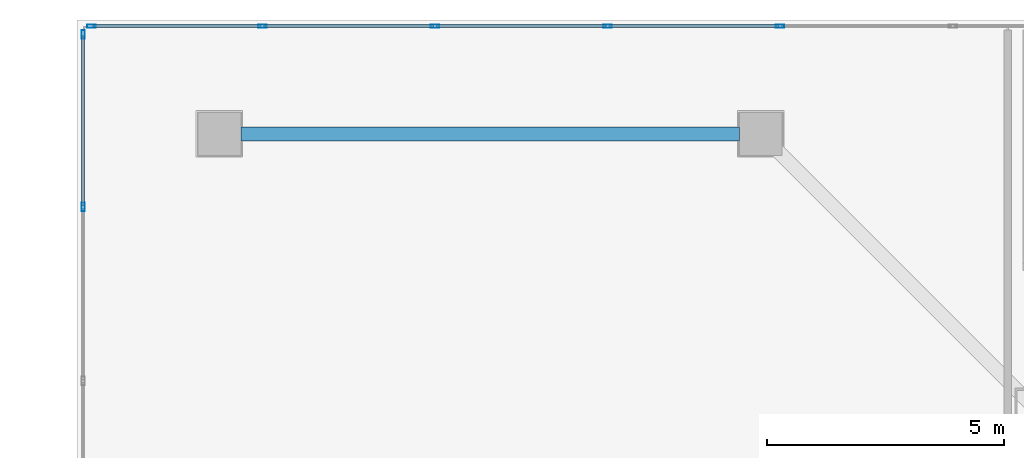
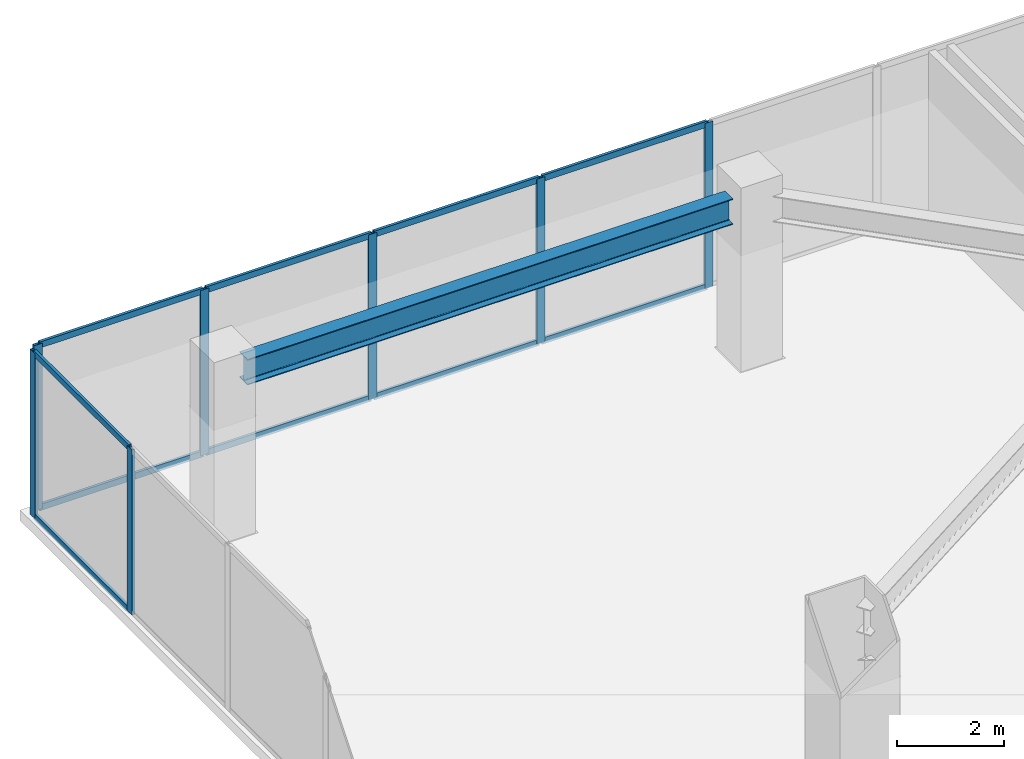
# One storey, part 12 of 32: 17 members, 1 beam, 2 elements without a shape of their own.
"""IFC4 building model written with IfcOpenShell, lengths in metres."""

from ifc_helpers import new_model, si_unit, direction, frame, origin, origin_2d, place, context, subcontext, project, spatial, hollow_rectangle, i_section, extrude, material, layer, layer_set, material_profile, profile_set, type_object, element, aggregate, save


model = new_model("IFC4")

# Units and contexts
model_context = context("Model", 3, precision=1e-05, world=origin(), true_north=direction((0.0, 1.0)))
body_context = subcontext(model_context, "Body", "Model", "MODEL_VIEW")
ifc_project = project(units=[si_unit("LENGTHUNIT", "METRE"), si_unit("AREAUNIT", "SQUARE_METRE"), si_unit("VOLUMEUNIT", "CUBIC_METRE"), si_unit("PLANEANGLEUNIT", "RADIAN"), si_unit("MASSUNIT", "GRAM", prefix="KILO")], contexts=[model_context])

# Site, building, storey
site_placement = place(None, origin())
site = spatial("IfcSite", under=ifc_project, at=site_placement, CompositionType="ELEMENT")
building_placement = place(site_placement, origin())
building = spatial("IfcBuilding", under=site, at=building_placement, Name="Haolan Belvedere Tower", CompositionType="ELEMENT")
storey_placement = place(building_placement, frame((0.0, 0.0, 15.60009765625)))
storey = spatial("IfcBuildingStorey", under=building, at=storey_placement, Name="L03", CompositionType="ELEMENT", Elevation=15.60009765625)

# Beam
ifc_material_1 = material(Name="Steel Q355B", Category="steel")
ifc_material_profile_1 = material_profile(ifc_material_1, i_section(OverallWidth=0.300048828125, OverallDepth=0.587890625, WebThickness=0.011962890625, FlangeThickness=0.02001953125, FilletRadius=0.028076171875, at=origin_2d()), Name="Steel Q355B")
ifc_profile_set_1 = profile_set([ifc_material_profile_1], Name="Steel Q355B")
beam_type = type_object("IfcBeamType", Name="BM-HM588x300x12x20", PredefinedType="SPANDREL", material=ifc_profile_set_1)
beam_placement = place(storey_placement, frame((7.050048828125, 51.60009765625, 3.48583984375), z_axis=(1.0, 0.0, 0.0), x_axis=(0.0, 1.0, 0.0)))
element("IfcBeam", 1, at=beam_placement, inside=storey, type_object=beam_type, Name="L03 spandrel girder PC-NW-1-PC-NW-2", PredefinedType="SPANDREL", context=body_context, shape_type="SweptSolid", body=[
    extrude(i_section(OverallWidth=0.300048828125, OverallDepth=0.587890625, WebThickness=0.011962890625, FlangeThickness=0.02001953125, FilletRadius=0.028076171875, at=origin_2d()), origin(), (0.0, 0.0, 1.0), 10.5),
])

# Curtain wall, members
ifc_material_2 = material(Name="Anodised champagne-silver aluminium 6063-T6 and Low-E glass", Category="aluminium")
ifc_layer = layer(ifc_material_2, 0.179931640625, Name="Anodised champagne-silver aluminium 6063-T6 and Low-E glass")
ifc_layer_set = layer_set([ifc_layer], Name="Anodised champagne-silver aluminium 6063-T6 and Low-E glass")
curtain_wall_type = type_object("IfcCurtainWallType", Name="CW-SYS-01", PredefinedType="NOTDEFINED", material=ifc_layer_set)
curtain_wall_1_placement = place(storey_placement, origin())
curtain_wall_1 = element("IfcCurtainWall", 2, at=curtain_wall_1_placement, inside=storey, type_object=curtain_wall_type, Name="L03 CW-SYS-01 ribbon curtain wall 3.1", PredefinedType="NOTDEFINED")
ifc_material_3 = material(Name="Anodised aluminium 6063-T6", Category="aluminium")
ifc_material_profile_2 = material_profile(ifc_material_3, hollow_rectangle(XDim=0.06494140625, YDim=0.179931640625, WallThickness=0.00390625, at=origin_2d()), Name="Anodised aluminium 6063-T6")
ifc_profile_set_2 = profile_set([ifc_material_profile_2], Name="Anodised aluminium 6063-T6")
member_type_1 = type_object("IfcMemberType", Name="CW-SYS-01-MUL", PredefinedType="MULLION", material=ifc_profile_set_2)
member_1_placement = place(storey_placement, frame((18.408935546875, 53.8701171875, 0.0), z_axis=(0.0, 0.0, 1.0), x_axis=(0.0, -1.0, 0.0)))
member_1 = element("IfcMember", 3, at=member_1_placement, type_object=member_type_1, Name="CW-01 mullion 16", PredefinedType="MULLION", context=body_context, shape_type="SweptSolid", body=[
    extrude(hollow_rectangle(XDim=0.06494140625, YDim=0.179931640625, WallThickness=0.00390625, at=origin_2d()), origin(), (0.0, 0.0, 1.0), 3.77978515625),
])
member_2_placement = place(storey_placement, frame((14.774169921875, 53.8701171875, 0.0), z_axis=(0.0, 0.0, 1.0), x_axis=(0.0, -1.0, 0.0)))
member_2 = element("IfcMember", 4, at=member_2_placement, type_object=member_type_1, Name="CW-01 mullion 17", PredefinedType="MULLION", context=body_context, shape_type="SweptSolid", body=[
    extrude(hollow_rectangle(XDim=0.06494140625, YDim=0.179931640625, WallThickness=0.00390625, at=origin_2d()), origin(), (0.0, 0.0, 1.0), 3.77978515625),
])
member_3_placement = place(storey_placement, frame((11.139404296875, 53.8701171875, 0.0), z_axis=(0.0, 0.0, 1.0), x_axis=(0.0, -1.0, 0.0)))
member_3 = element("IfcMember", 5, at=member_3_placement, type_object=member_type_1, Name="CW-01 mullion 18", PredefinedType="MULLION", context=body_context, shape_type="SweptSolid", body=[
    extrude(hollow_rectangle(XDim=0.06494140625, YDim=0.179931640625, WallThickness=0.00390625, at=origin_2d()), origin(), (0.0, 0.0, 1.0), 3.77978515625),
])
member_4_placement = place(storey_placement, frame((7.504638671875, 53.8701171875, 0.0), z_axis=(0.0, 0.0, 1.0), x_axis=(0.0, -1.0, 0.0)))
member_4 = element("IfcMember", 6, at=member_4_placement, type_object=member_type_1, Name="CW-01 mullion 19", PredefinedType="MULLION", context=body_context, shape_type="SweptSolid", body=[
    extrude(hollow_rectangle(XDim=0.06494140625, YDim=0.179931640625, WallThickness=0.00390625, at=origin_2d()), origin(), (0.0, 0.0, 1.0), 3.77978515625),
])
member_5_placement = place(storey_placement, frame((3.902587890625, 53.8701171875, 0.0), z_axis=(0.0, 0.0, 1.0), x_axis=(0.0, -1.0, 0.0)))
member_5 = element("IfcMember", 7, at=member_5_placement, type_object=member_type_1, Name="CW-01 mullion 20", PredefinedType="MULLION", context=body_context, shape_type="SweptSolid", body=[
    extrude(hollow_rectangle(XDim=0.06494140625, YDim=0.179931640625, WallThickness=0.00390625, at=origin_2d()), origin(), (0.0, 0.0, 1.0), 3.77978515625),
])

curtain_wall_2_placement = place(storey_placement, origin())
curtain_wall_2 = element("IfcCurtainWall", 8, at=curtain_wall_2_placement, inside=storey, type_object=curtain_wall_type, Name="L03 CW-SYS-01 ribbon curtain wall 4.1", PredefinedType="NOTDEFINED")
member_6_placement = place(storey_placement, frame((3.72998046875, 53.697509765625, 0.0), z_axis=(0.0, 0.0, 1.0), x_axis=(1.0, 0.0, 0.0)))
member_6 = element("IfcMember", 9, at=member_6_placement, type_object=member_type_1, Name="CW-01 mullion 1", PredefinedType="MULLION", context=body_context, shape_type="SweptSolid", body=[
    extrude(hollow_rectangle(XDim=0.06494140625, YDim=0.179931640625, WallThickness=0.00390625, at=origin_2d()), origin(), (0.0, 0.0, 1.0), 3.77978515625),
])
member_7_placement = place(storey_placement, frame((3.72998046875, 50.06298828125, 0.0), z_axis=(0.0, 0.0, 1.0), x_axis=(1.0, 0.0, 0.0)))
member_7 = element("IfcMember", 10, at=member_7_placement, type_object=member_type_1, Name="CW-01 mullion 2", PredefinedType="MULLION", context=body_context, shape_type="SweptSolid", body=[
    extrude(hollow_rectangle(XDim=0.06494140625, YDim=0.179931640625, WallThickness=0.00390625, at=origin_2d()), origin(), (0.0, 0.0, 1.0), 3.77978515625),
])

# Member
ifc_material_profile_3 = material_profile(ifc_material_3, hollow_rectangle(XDim=0.06005859375, YDim=0.139892578125, WallThickness=0.00390625, at=origin_2d()), Name="Anodised aluminium 6063-T6")
ifc_profile_set_3 = profile_set([ifc_material_profile_3], Name="Anodised aluminium 6063-T6")
member_type_2 = type_object("IfcMemberType", Name="CW-SYS-01-TRN", PredefinedType="USERDEFINED", material=ifc_profile_set_3)
member_8_placement = place(storey_placement, frame((18.37646484375, 53.8701171875, 0.02978515625), z_axis=(-1.0, 0.0, 0.0), x_axis=(0.0, -1.0, 0.0)))
member_8 = element("IfcMember", 11, at=member_8_placement, type_object=member_type_2, Name="CW-01 transom 16.1", ObjectType="TRANSOM", PredefinedType="USERDEFINED", context=body_context, shape_type="SweptSolid", body=[
    extrude(hollow_rectangle(XDim=0.06005859375, YDim=0.139892578125, WallThickness=0.00390625, at=origin_2d()), origin(), (0.0, 0.0, 1.0), 3.56982421875),
])

member_9_placement = place(storey_placement, frame((18.37646484375, 53.8701171875, 3.75), z_axis=(-1.0, 0.0, 0.0), x_axis=(0.0, -1.0, 0.0)))
member_9 = element("IfcMember", 12, at=member_9_placement, type_object=member_type_2, Name="CW-01 transom 16.2", ObjectType="TRANSOM", PredefinedType="USERDEFINED", context=body_context, shape_type="SweptSolid", body=[
    extrude(hollow_rectangle(XDim=0.06005859375, YDim=0.139892578125, WallThickness=0.00390625, at=origin_2d()), origin(), (0.0, 0.0, 1.0), 3.56982421875),
])

member_10_placement = place(storey_placement, frame((14.74169921875, 53.8701171875, 0.02978515625), z_axis=(-1.0, 0.0, 0.0), x_axis=(0.0, -1.0, 0.0)))
member_10 = element("IfcMember", 13, at=member_10_placement, type_object=member_type_2, Name="CW-01 transom 17.1", ObjectType="TRANSOM", PredefinedType="USERDEFINED", context=body_context, shape_type="SweptSolid", body=[
    extrude(hollow_rectangle(XDim=0.06005859375, YDim=0.139892578125, WallThickness=0.00390625, at=origin_2d()), origin(), (0.0, 0.0, 1.0), 3.56982421875),
])

member_11_placement = place(storey_placement, frame((14.74169921875, 53.8701171875, 3.75), z_axis=(-1.0, 0.0, 0.0), x_axis=(0.0, -1.0, 0.0)))
member_11 = element("IfcMember", 14, at=member_11_placement, type_object=member_type_2, Name="CW-01 transom 17.2", ObjectType="TRANSOM", PredefinedType="USERDEFINED", context=body_context, shape_type="SweptSolid", body=[
    extrude(hollow_rectangle(XDim=0.06005859375, YDim=0.139892578125, WallThickness=0.00390625, at=origin_2d()), origin(), (0.0, 0.0, 1.0), 3.56982421875),
])

member_12_placement = place(storey_placement, frame((11.10693359375, 53.8701171875, 0.02978515625), z_axis=(-1.0, 0.0, 0.0), x_axis=(0.0, -1.0, 0.0)))
member_12 = element("IfcMember", 15, at=member_12_placement, type_object=member_type_2, Name="CW-01 transom 18.1", ObjectType="TRANSOM", PredefinedType="USERDEFINED", context=body_context, shape_type="SweptSolid", body=[
    extrude(hollow_rectangle(XDim=0.06005859375, YDim=0.139892578125, WallThickness=0.00390625, at=origin_2d()), origin(), (0.0, 0.0, 1.0), 3.569580078125),
])

member_13_placement = place(storey_placement, frame((11.10693359375, 53.8701171875, 3.75), z_axis=(-1.0, 0.0, 0.0), x_axis=(0.0, -1.0, 0.0)))
member_13 = element("IfcMember", 16, at=member_13_placement, type_object=member_type_2, Name="CW-01 transom 18.2", ObjectType="TRANSOM", PredefinedType="USERDEFINED", context=body_context, shape_type="SweptSolid", body=[
    extrude(hollow_rectangle(XDim=0.06005859375, YDim=0.139892578125, WallThickness=0.00390625, at=origin_2d()), origin(), (0.0, 0.0, 1.0), 3.569580078125),
])

member_14_placement = place(storey_placement, frame((7.47216796875, 53.8701171875, 0.02978515625), z_axis=(-1.0, 0.0, 0.0), x_axis=(0.0, -1.0, 0.0)))
member_14 = element("IfcMember", 17, at=member_14_placement, type_object=member_type_2, Name="CW-01 transom 19.1", ObjectType="TRANSOM", PredefinedType="USERDEFINED", context=body_context, shape_type="SweptSolid", body=[
    extrude(hollow_rectangle(XDim=0.06005859375, YDim=0.139892578125, WallThickness=0.00390625, at=origin_2d()), origin(), (0.0, 0.0, 1.0), 3.537109375),
])

member_15_placement = place(storey_placement, frame((7.47216796875, 53.8701171875, 3.75), z_axis=(-1.0, 0.0, 0.0), x_axis=(0.0, -1.0, 0.0)))
member_15 = element("IfcMember", 18, at=member_15_placement, type_object=member_type_2, Name="CW-01 transom 19.2", ObjectType="TRANSOM", PredefinedType="USERDEFINED", context=body_context, shape_type="SweptSolid", body=[
    extrude(hollow_rectangle(XDim=0.06005859375, YDim=0.139892578125, WallThickness=0.00390625, at=origin_2d()), origin(), (0.0, 0.0, 1.0), 3.537109375),
])

aggregate(curtain_wall_1, [member_1, member_2, member_3, member_4, member_5, member_8, member_9, member_10, member_11, member_12, member_13, member_14, member_15])

member_16_placement = place(storey_placement, frame((3.72998046875, 53.6650390625, 0.02978515625), z_axis=(0.0, -1.0, 0.0), x_axis=(1.0, 0.0, 0.0)))
member_16 = element("IfcMember", 19, at=member_16_placement, type_object=member_type_2, Name="CW-01 transom 1.1", ObjectType="TRANSOM", PredefinedType="USERDEFINED", context=body_context, shape_type="SweptSolid", body=[
    extrude(hollow_rectangle(XDim=0.06005859375, YDim=0.139892578125, WallThickness=0.00390625, at=origin_2d()), origin(), (0.0, 0.0, 1.0), 3.569580078125),
])

member_17_placement = place(storey_placement, frame((3.72998046875, 53.6650390625, 3.75), z_axis=(0.0, -1.0, 0.0), x_axis=(1.0, 0.0, 0.0)))
member_17 = element("IfcMember", 20, at=member_17_placement, type_object=member_type_2, Name="CW-01 transom 1.2", ObjectType="TRANSOM", PredefinedType="USERDEFINED", context=body_context, shape_type="SweptSolid", body=[
    extrude(hollow_rectangle(XDim=0.06005859375, YDim=0.139892578125, WallThickness=0.00390625, at=origin_2d()), origin(), (0.0, 0.0, 1.0), 3.569580078125),
])

aggregate(curtain_wall_2, [member_6, member_7, member_16, member_17])

save(model, "model.ifc")
